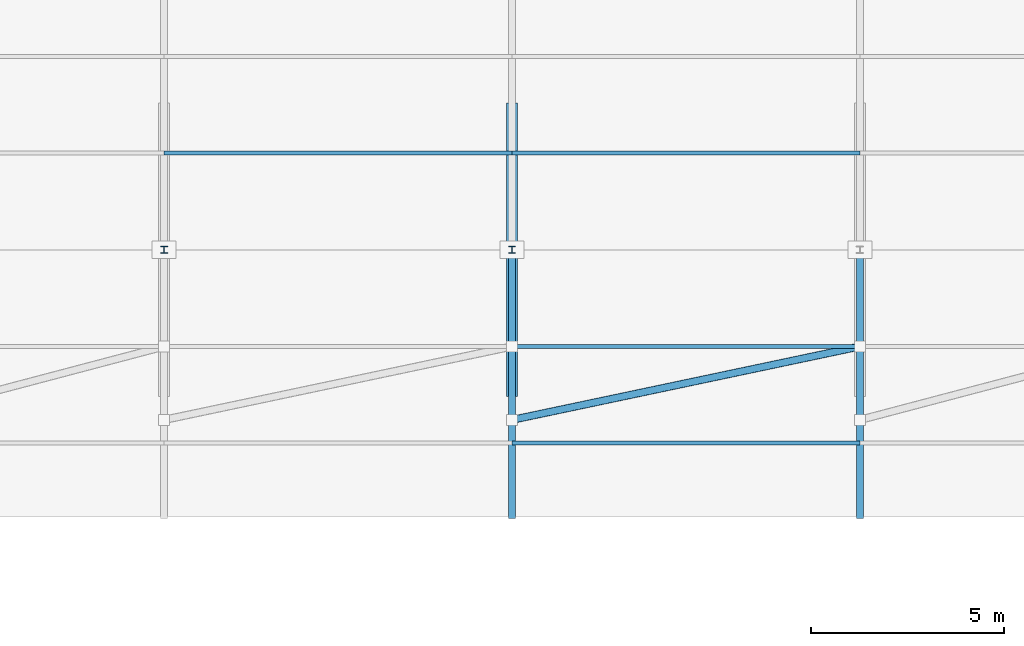
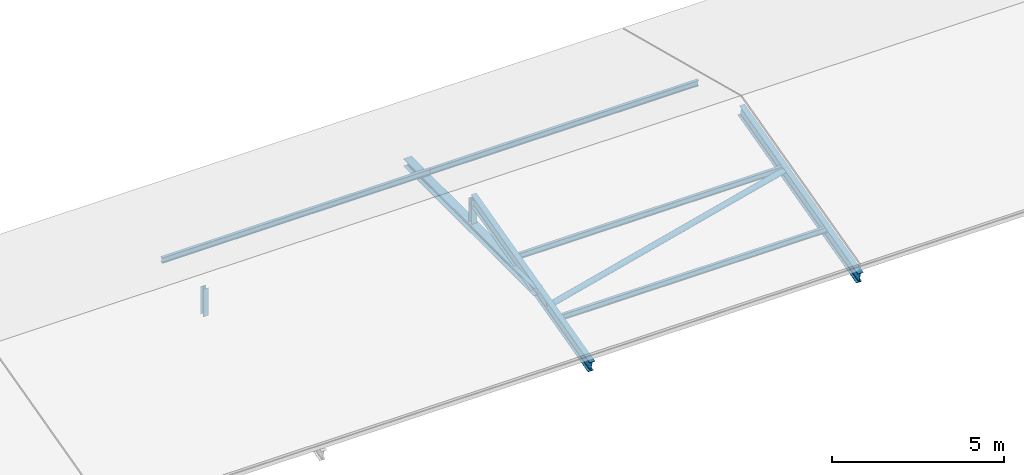
# One storey, part 15 of 31: 10 members.
"""IFC4 building model written with IfcOpenShell, lengths in metres."""

from ifc_helpers import new_model, si_unit, direction, frame, origin, origin_2d, place, context, subcontext, project, spatial, hollow_circle, i_section, extrude, material, material_profile, profile_set, type_object, element, save


model = new_model("IFC4")

# Units and contexts
model_context = context("Model", 3, precision=1e-05, world=origin(), true_north=direction((0.0, 1.0)))
body_context = subcontext(model_context, "Body", "Model", "MODEL_VIEW")
ifc_project = project(units=[si_unit("LENGTHUNIT", "METRE"), si_unit("AREAUNIT", "SQUARE_METRE"), si_unit("VOLUMEUNIT", "CUBIC_METRE"), si_unit("PLANEANGLEUNIT", "RADIAN"), si_unit("MASSUNIT", "GRAM", prefix="KILO")], contexts=[model_context])

# Site, building, storey
site_placement = place(None, origin())
site = spatial("IfcSite", under=ifc_project, at=site_placement, CompositionType="ELEMENT")
building_placement = place(site_placement, origin())
building = spatial("IfcBuilding", under=site, at=building_placement, Name="Clarverna Civic Hall", CompositionType="ELEMENT")
storey_placement = place(building_placement, frame((0.0, 0.0, 31.199951171875)))
storey = spatial("IfcBuildingStorey", under=building, at=storey_placement, Name="RF", CompositionType="ELEMENT", Elevation=31.199951171875)

# Members
ifc_material = material(Name="Steel S355", Category="steel")
ifc_material_profile_1 = material_profile(ifc_material, hollow_circle(Radius=0.096923828125, WallThickness=0.010009765625, at=origin_2d()), Name="CHS 193.7x10.0")
ifc_profile_set_1 = profile_set([ifc_material_profile_1], Name="Steel S355")
member_type_1 = type_object("IfcMemberType", Name="BRR-1", PredefinedType="BRACE", material=ifc_profile_set_1)
member_1_placement = place(storey_placement, frame((41.39990234375, 104.699951171875, -10.50341796875), z_axis=(0.977037540615, 0.2062793831, 0.053352228984), x_axis=(-0.206573594386, 0.978431065585, 0.0)))
element("IfcMember", 1, at=member_1_placement, inside=storey, type_object=member_type_1, Name="BRR-1-006", PredefinedType="BRACE", context=body_context, shape_type="SweptSolid", body=[
    extrude(hollow_circle(Radius=0.096923828125, WallThickness=0.010009765625, at=origin_2d()), origin(), (0.0, 0.0, 1.0), 9.21142578125),
])
ifc_material_profile_2 = material_profile(ifc_material, i_section(OverallWidth=0.280029296875, OverallDepth=0.27001953125, WebThickness=0.008056640625, FlangeThickness=0.012939453125, FilletRadius=0.02392578125, at=origin_2d()), Name="HEA 280")
ifc_profile_set_2 = profile_set([ifc_material_profile_2], Name="Steel S355")
member_type_2 = type_object("IfcMemberType", Name="CH-01", PredefinedType="CHORD", material=ifc_profile_set_2)
member_2_placement = place(storey_placement, frame((41.39990234375, 105.304931640625, -10.346923828125), z_axis=(0.0, 1.0, 0.0), x_axis=(-1.0, 0.0, 0.0)))
element("IfcMember", 2, at=member_2_placement, inside=storey, type_object=member_type_2, Name="CH-01-006", PredefinedType="CHORD", context=body_context, shape_type="SweptSolid", body=[
    extrude(i_section(OverallWidth=0.280029296875, OverallDepth=0.27001953125, WebThickness=0.008056640625, FlangeThickness=0.012939453125, FilletRadius=0.02392578125, at=origin_2d()), origin(), (0.0, 0.0, 1.0), 7.590087890625),
])
ifc_material_profile_3 = material_profile(ifc_material, i_section(OverallWidth=0.179931640625, OverallDepth=0.1708984375, WebThickness=0.006103515625, FlangeThickness=0.009521484375, FilletRadius=0.014892578125, at=origin_2d()), Name="HEA 180")
ifc_profile_set_3 = profile_set([ifc_material_profile_3], Name="Steel S355")
member_type_3 = type_object("IfcMemberType", Name="CH-04", PredefinedType="CHORD", material=ifc_profile_set_3)
for number, where, z_axis, x_axis, name in (
    (3, (32.39990234375, 109.10009765625, -10.346923828125), (0.0, 0.0, 1.0), (1.0, 0.0, 0.0), "CH-04-089"),
    (4, (41.39990234375, 109.10009765625, -10.346923828125), (0.0, 0.0, 1.0), (1.0, 0.0, 0.0), "CH-04-090"),
):
    element("IfcMember", number, at=place(storey_placement, frame(where, z_axis=z_axis, x_axis=x_axis)), inside=storey, type_object=member_type_3, Name=name, PredefinedType="CHORD", context=body_context, shape_type="SweptSolid", body=[
        extrude(i_section(OverallWidth=0.179931640625, OverallDepth=0.1708984375, WebThickness=0.006103515625, FlangeThickness=0.009521484375, FilletRadius=0.014892578125, at=origin_2d()), origin(), (0.0, 0.0, 1.0), 0.9814453125),
    ])
ifc_material_profile_4 = material_profile(ifc_material, i_section(OverallWidth=0.10009765625, OverallDepth=0.199951171875, WebThickness=0.005615234375, FlangeThickness=0.008544921875, FilletRadius=0.011962890625, at=origin_2d()), Name="IPE 200")
ifc_profile_set_4 = profile_set([ifc_material_profile_4], Name="Steel S355")
member_type_4 = type_object("IfcMemberType", Name="PU-RF1", PredefinedType="PURLIN", material=ifc_profile_set_4)
for number, where, z_axis, x_axis, name in (
    (5, (41.39990234375, 104.10009765625, -10.568603515625), (1.0, 0.0, 0.0), (0.0, 1.0, 0.0), "PU-RF1-006"),
    (6, (41.39990234375, 106.60009765625, -9.922119140625), (1.0, 0.0, 0.0), (0.0, 1.0, 0.0), "PU-RF1-014"),
    (7, (32.39990234375, 111.60009765625, -9.922119140625), (1.0, 0.0, 0.0), (0.0, 1.0, 0.0), "PU-RF1-021"),
    (8, (41.39990234375, 111.60009765625, -9.922119140625), (1.0, 0.0, 0.0), (0.0, 1.0, 0.0), "PU-RF1-022"),
):
    element("IfcMember", number, at=place(storey_placement, frame(where, z_axis=z_axis, x_axis=x_axis)), inside=storey, type_object=member_type_4, Name=name, PredefinedType="PURLIN", context=body_context, shape_type="SweptSolid", body=[
        extrude(i_section(OverallWidth=0.10009765625, OverallDepth=0.199951171875, WebThickness=0.005615234375, FlangeThickness=0.008544921875, FilletRadius=0.011962890625, at=origin_2d()), origin(), (0.0, 0.0, 1.0), 9.0),
    ])
ifc_material_profile_5 = material_profile(ifc_material, i_section(OverallWidth=0.179931640625, OverallDepth=0.39990234375, WebThickness=0.008544921875, FlangeThickness=0.013427734375, FilletRadius=0.02099609375, at=origin_2d()), Name="IPE 400")
ifc_profile_set_5 = profile_set([ifc_material_profile_5], Name="Steel S355")
member_type_5 = type_object("IfcMemberType", Name="RF-01", PredefinedType="RAFTER", material=ifc_profile_set_5)
for number, where, z_axis, x_axis, name in (
    (9, (41.39990234375, 102.199951171875, -11.14990234375), (0.0, 0.968150204364, 0.250370089647), (-1.0, 0.0, 0.0), "RF-01-011"),
    (10, (50.39990234375, 102.199951171875, -11.14990234375), (0.0, 0.968150204364, 0.250370089647), (-1.0, 0.0, 0.0), "RF-01-013"),
):
    element("IfcMember", number, at=place(storey_placement, frame(where, z_axis=z_axis, x_axis=x_axis)), inside=storey, type_object=member_type_5, Name=name, PredefinedType="RAFTER", context=body_context, shape_type="SweptSolid", body=[
        extrude(i_section(OverallWidth=0.179931640625, OverallDepth=0.39990234375, WebThickness=0.008544921875, FlangeThickness=0.013427734375, FilletRadius=0.02099609375, at=origin_2d()), origin(), (0.0, 0.0, 1.0), 7.127197265625),
    ])

save(model, "model.ifc")
